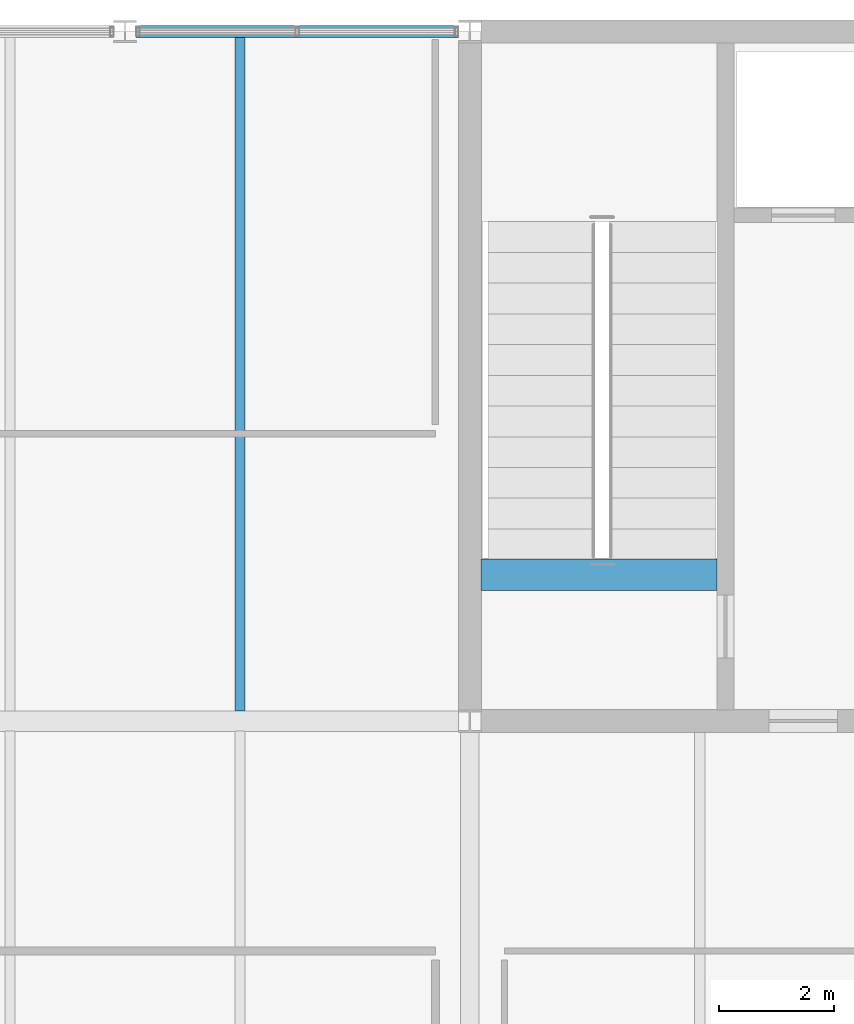
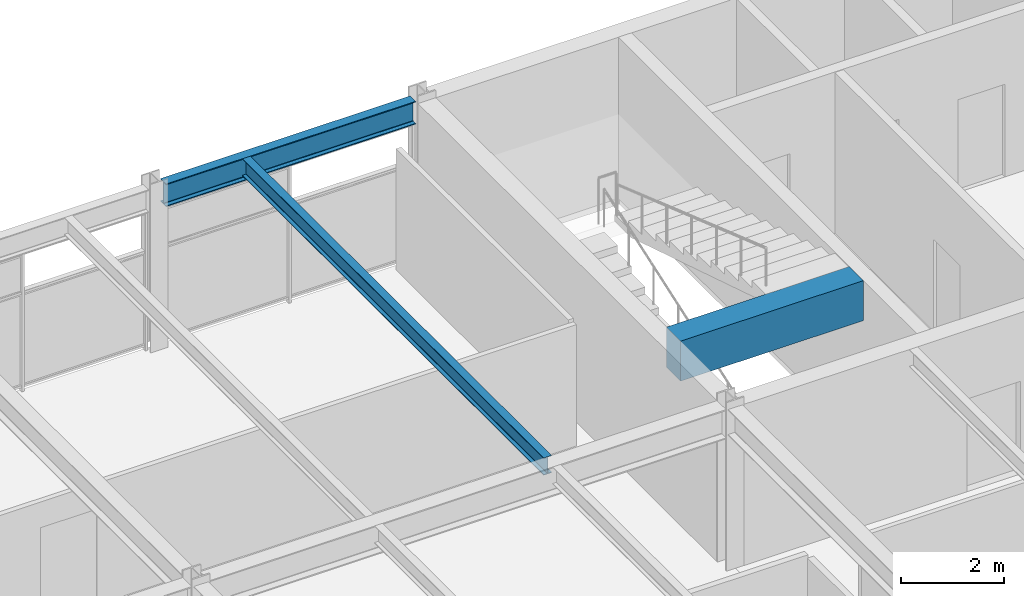
# One storey, part 36 of 51: 3 beams.
"""IFC4 building model written with IfcOpenShell, lengths in metres."""

from ifc_helpers import new_model, si_unit, direction, frame, origin, origin_2d, place, context, subcontext, project, spatial, rectangle, i_section, extrude, material, material_profile, profile_set, type_object, element, save


model = new_model("IFC4")

# Units and contexts
model_context = context("Model", 3, precision=1e-05, world=origin(), true_north=direction((0.0, 1.0)))
body_context = subcontext(model_context, "Body", "Model", "MODEL_VIEW")
ifc_project = project(units=[si_unit("LENGTHUNIT", "METRE"), si_unit("AREAUNIT", "SQUARE_METRE"), si_unit("VOLUMEUNIT", "CUBIC_METRE"), si_unit("PLANEANGLEUNIT", "RADIAN"), si_unit("MASSUNIT", "GRAM", prefix="KILO")], contexts=[model_context])

# Site, building, storey
site_placement = place(None, origin())
site = spatial("IfcSite", under=ifc_project, at=site_placement, CompositionType="ELEMENT")
building_placement = place(site_placement, origin())
building = spatial("IfcBuilding", under=site, at=building_placement, Name="Girod Span Mobility Hub", CompositionType="ELEMENT")
storey_placement = place(building_placement, frame((0.0, 0.0, 41.60009765625)))
storey = spatial("IfcBuildingStorey", under=building, at=storey_placement, Name="L10", CompositionType="ELEMENT", Elevation=41.60009765625)

# Beams
ifc_material_1 = material(Name="Concrete C40/50", Category="concrete")
ifc_material_profile_1 = material_profile(ifc_material_1, rectangle(XDim=0.550048828125, YDim=0.949951171875, at=origin_2d()), Name="RK-550X950")
ifc_profile_set_1 = profile_set([ifc_material_profile_1], Name="Concrete C40/50")
beam_type_1 = type_object("IfcBeamType", Name="BM-RK-550X950", PredefinedType="BEAM", material=ifc_profile_set_1)
beam_1_placement = place(storey_placement, frame((108.197021484375, 59.550048828125, 3.349853515625), z_axis=(1.0, 0.0, 0.0), x_axis=(0.0, 1.0, 0.0)))
element("IfcBeam", 1, at=beam_1_placement, inside=storey, type_object=beam_type_1, Name="Stair ST-2 Landing Header Beam L10", PredefinedType="BEAM", context=body_context, shape_type="SweptSolid", body=[
    extrude(rectangle(XDim=0.550048828125, YDim=0.949951171875, at=origin_2d()), origin(), (0.0, 0.0, 1.0), 4.10595703125),
])
ifc_material_2 = material(Name="Steel A992 Grade 50", Category="steel")
ifc_material_profile_2 = material_profile(ifc_material_2, i_section(OverallWidth=0.178955078125, OverallDepth=0.409912109375, WebThickness=0.0087890625, FlangeThickness=0.014404296875, FilletRadius=0.012939453125, at=origin_2d()), Name="W16X45")
ifc_profile_set_2 = profile_set([ifc_material_profile_2], Name="Steel A992 Grade 50")
beam_type_2 = type_object("IfcBeamType", Name="BM-STL-W16X45", PredefinedType="BEAM", material=ifc_profile_set_2)
beam_2_placement = place(storey_placement, frame((104.0, 57.174560546875, 3.619873046875), z_axis=(0.0, 1.0, 0.0), x_axis=(-1.0, 0.0, 0.0)))
element("IfcBeam", 2, at=beam_2_placement, inside=storey, type_object=beam_type_2, Name="Composite Floorbeam 9/E-2 L10", PredefinedType="BEAM", context=body_context, shape_type="SweptSolid", body=[
    extrude(i_section(OverallWidth=0.178955078125, OverallDepth=0.409912109375, WebThickness=0.0087890625, FlangeThickness=0.014404296875, FilletRadius=0.012939453125, at=origin_2d()), origin(), (0.0, 0.0, 1.0), 11.722412109375),
])
ifc_material_3 = material(Name="Steel A992 Grade 50", Category="steel")
ifc_material_profile_3 = material_profile(ifc_material_3, i_section(OverallWidth=0.2119140625, OverallDepth=0.5439453125, WebThickness=0.01318359375, FlangeThickness=0.021240234375, FilletRadius=0.014892578125, at=origin_2d()), Name="W21X83")
ifc_profile_set_3 = profile_set([ifc_material_profile_3], Name="Steel A992 Grade 50")
beam_type_3 = type_object("IfcBeamType", Name="BM-STL-W21X83", PredefinedType="SPANDREL", material=ifc_profile_set_3)
beam_3_placement = place(storey_placement, frame((102.194091796875, 69.0, 3.552978515625), z_axis=(1.0, 0.0, 0.0), x_axis=(0.0, 1.0, 0.0)))
element("IfcBeam", 3, at=beam_3_placement, inside=storey, type_object=beam_type_3, Name="Spandrel Beam 9-10/F-E L10", PredefinedType="SPANDREL", context=body_context, shape_type="SweptSolid", body=[
    extrude(i_section(OverallWidth=0.2119140625, OverallDepth=0.5439453125, WebThickness=0.01318359375, FlangeThickness=0.021240234375, FilletRadius=0.014892578125, at=origin_2d()), origin(), (0.0, 0.0, 1.0), 5.609375),
])

save(model, "model.ifc")
